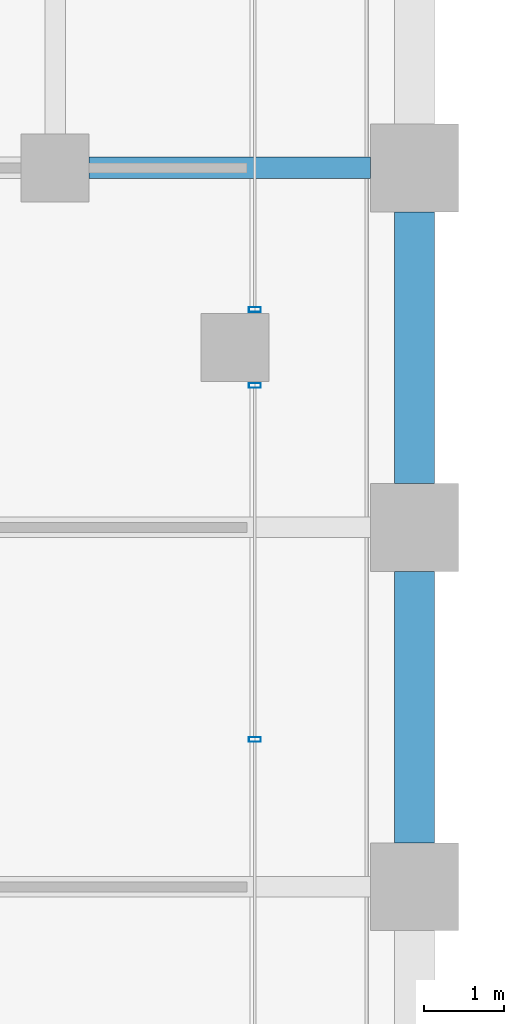
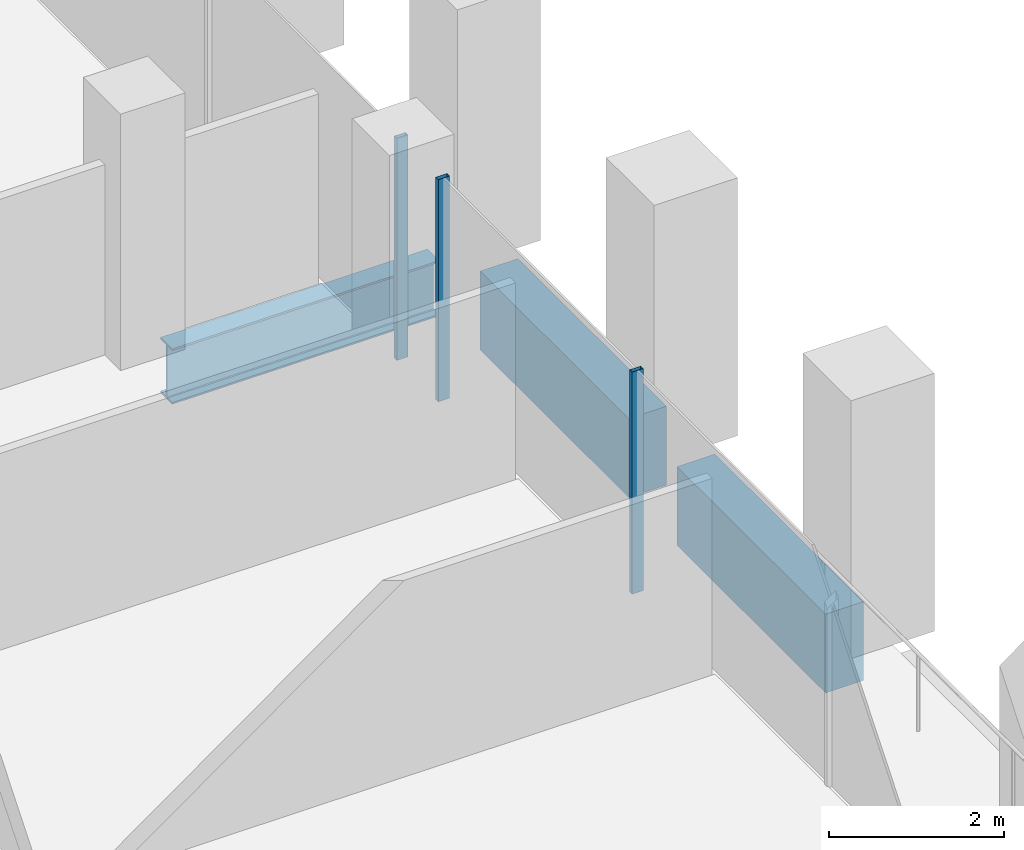
# One storey, part 22 of 56: 3 beams, 3 members, 2 elements without a shape of their own.
"""IFC4 building model written with IfcOpenShell, lengths in metres."""

from ifc_helpers import new_model, si_unit, direction, frame, origin, origin_2d, place, context, subcontext, project, spatial, rectangle, hollow_rectangle, i_section, extrude, material, material_profile, profile_set, type_object, element, aggregate, save


model = new_model("IFC4")

# Units and contexts
model_context = context("Model", 3, precision=1e-05, world=origin(), true_north=direction((0.0, 1.0)))
body_context = subcontext(model_context, "Body", "Model", "MODEL_VIEW")
ifc_project = project(units=[si_unit("LENGTHUNIT", "METRE"), si_unit("AREAUNIT", "SQUARE_METRE"), si_unit("VOLUMEUNIT", "CUBIC_METRE"), si_unit("PLANEANGLEUNIT", "RADIAN"), si_unit("MASSUNIT", "GRAM", prefix="KILO")], contexts=[model_context])

# Site, building, storey
site_placement = place(None, origin())
site = spatial("IfcSite", under=ifc_project, at=site_placement, CompositionType="ELEMENT")
building_placement = place(site_placement, origin())
building = spatial("IfcBuilding", under=site, at=building_placement, Name="Altepetl Exchange Towers", CompositionType="ELEMENT")
storey_placement = place(building_placement, frame((0.0, 0.0, 51.0)))
storey = spatial("IfcBuildingStorey", under=building, at=storey_placement, Name="L11", CompositionType="ELEMENT", Elevation=51.0)

# Beam
ifc_material_1 = material(Name="Steel S355", Category="steel")
ifc_material_profile_1 = material_profile(ifc_material_1, i_section(OverallWidth=0.26806640625, OverallDepth=0.77392578125, WebThickness=0.015380859375, FlangeThickness=0.025390625, at=origin_2d()), Name="W30X132")
ifc_profile_set_1 = profile_set([ifc_material_profile_1], Name="Steel S355")
beam_type_1 = type_object("IfcBeamType", Name="Girder W30X132", PredefinedType="BEAM", material=ifc_profile_set_1)
beam_placement = place(storey_placement, frame((67.925048828125, 58.5, -0.537109375), z_axis=(1.0, 0.0, 0.0), x_axis=(0.0, 1.0, 0.0)))
element("IfcBeam", 1, at=beam_placement, inside=storey, type_object=beam_type_1, Name="gd:A:L11:002", PredefinedType="BEAM", context=body_context, shape_type="SweptSolid", body=[
    extrude(i_section(OverallWidth=0.26806640625, OverallDepth=0.77392578125, WebThickness=0.015380859375, FlangeThickness=0.025390625, at=origin_2d()), origin(), (0.0, 0.0, 1.0), 3.52490234375),
])

# Curtain wall, members
ifc_material_2 = material(Name="Aluminium 6063-T6 glazing", Category="aluminium")
curtain_wall_type = type_object("IfcCurtainWallType", Name="Loggia glazing system", PredefinedType="NOTDEFINED", material=ifc_material_2)
curtain_wall_1_placement = place(storey_placement, origin())
curtain_wall_1 = element("IfcCurtainWall", 2, at=curtain_wall_1_placement, inside=storey, type_object=curtain_wall_type, Name="CW1 run", PredefinedType="NOTDEFINED")
ifc_material_3 = material(Name="Aluminium 6063-T6", Category="aluminium")
ifc_material_profile_2 = material_profile(ifc_material_3, hollow_rectangle(XDim=0.06005859375, YDim=0.14990234375, WallThickness=0.0029296875, at=origin_2d()), Name="Mullion 60x150 aluminium")
ifc_profile_set_2 = profile_set([ifc_material_profile_2], Name="Aluminium 6063-T6")
member_type = type_object("IfcMemberType", Name="Mullion 60x150 aluminium", PredefinedType="MULLION", material=ifc_profile_set_2)
member_1_placement = place(storey_placement, frame((70.0, 51.343994140625, 0.0), z_axis=(0.0, 0.0, 1.0), x_axis=(0.0, 1.0, 0.0)))
member_1 = element("IfcMember", 3, at=member_1_placement, type_object=member_type, Name="MU1 mullion", PredefinedType="MULLION", context=body_context, shape_type="SweptSolid", body=[
    extrude(hollow_rectangle(XDim=0.06005859375, YDim=0.14990234375, WallThickness=0.0029296875, at=origin_2d()), origin(), (0.0, 0.0, 1.0), 3.10009765625),
])
member_2_placement = place(storey_placement, frame((70.0, 55.77490234375, 0.0), z_axis=(0.0, 0.0, 1.0), x_axis=(0.0, 1.0, 0.0)))
member_2 = element("IfcMember", 4, at=member_2_placement, type_object=member_type, Name="MU1 mullion", PredefinedType="MULLION", context=body_context, shape_type="SweptSolid", body=[
    extrude(hollow_rectangle(XDim=0.06005859375, YDim=0.14990234375, WallThickness=0.0029296875, at=origin_2d()), origin(), (0.0, 0.0, 1.0), 3.10009765625),
])
aggregate(curtain_wall_1, [member_1, member_2])

# Curtain wall, member
curtain_wall_2_placement = place(storey_placement, origin())
curtain_wall_2 = element("IfcCurtainWall", 5, at=curtain_wall_2_placement, inside=storey, type_object=curtain_wall_type, Name="CW1 run", PredefinedType="NOTDEFINED")
member_3_placement = place(storey_placement, frame((70.0, 56.72509765625, 0.0), z_axis=(0.0, 0.0, 1.0), x_axis=(0.0, 1.0, 0.0)))
member_3 = element("IfcMember", 6, at=member_3_placement, type_object=member_type, Name="MU1 mullion", PredefinedType="MULLION", context=body_context, shape_type="SweptSolid", body=[
    extrude(hollow_rectangle(XDim=0.06005859375, YDim=0.14990234375, WallThickness=0.0029296875, at=origin_2d()), origin(), (0.0, 0.0, 1.0), 3.10009765625),
])
aggregate(curtain_wall_2, [member_3])

# Beams
ifc_material_4 = material(Name="Concrete C50/60 precast with cantera amarilla facing", Category="concrete")
ifc_material_profile_3 = material_profile(ifc_material_4, rectangle(XDim=0.5, YDim=1.10009765625, at=origin_2d()), Name="500 x 1100")
ifc_profile_set_3 = profile_set([ifc_material_profile_3], Name="Concrete C50/60 precast with cantera amarilla facing")
beam_type_2 = type_object("IfcBeamType", Name="Spandrel beam 500x1100 cantera amarilla", PredefinedType="SPANDREL", material=ifc_profile_set_3)
for number, where, z_axis, x_axis, name in (
    (7, (72.0, 50.050048828125, -0.699951171875), (0.0, 1.0, 0.0), (-1.0, 0.0, 0.0), "sp:A:L11:016"),
    (8, (72.0, 54.550048828125, -0.699951171875), (0.0, 1.0, 0.0), (-1.0, 0.0, 0.0), "sp:A:L11:017"),
):
    element("IfcBeam", number, at=place(storey_placement, frame(where, z_axis=z_axis, x_axis=x_axis)), inside=storey, type_object=beam_type_2, Name=name, PredefinedType="SPANDREL", context=body_context, shape_type="SweptSolid", body=[
        extrude(rectangle(XDim=0.5, YDim=1.10009765625, at=origin_2d()), origin(), (0.0, 0.0, 1.0), 3.39990234375),
    ])

save(model, "model.ifc")
